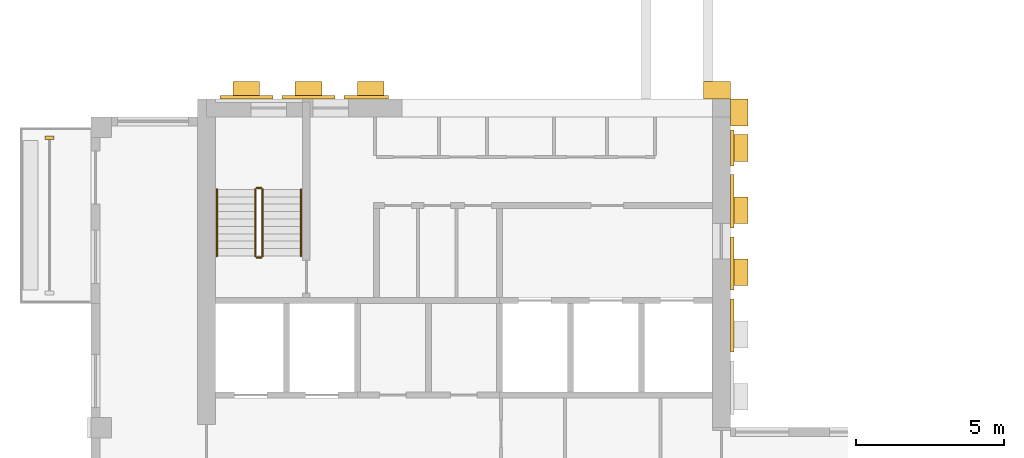
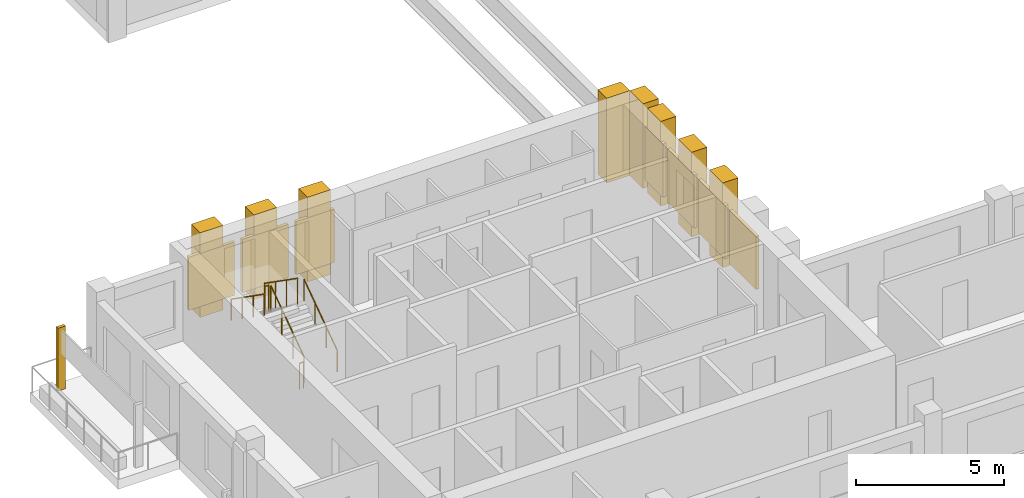
# One storey, part 7 of 9: 16 coverings, 6 railings.
"""IFC4 building model written with IfcOpenShell, lengths in metres."""

from ifc_helpers import new_model, si_unit, direction, frame, origin, origin_2d, place, context, subcontext, project, spatial, rectangle, circle, extrude, source, transform, mapped, material, type_object, element, save


model = new_model("IFC4")

# Units and contexts
model_context = context("Model", 3, precision=1e-05, world=origin(), true_north=direction((0.0, 1.0)))
body_context = subcontext(model_context, "Body", "Model", "MODEL_VIEW")
ifc_project = project(units=[si_unit("LENGTHUNIT", "METRE"), si_unit("AREAUNIT", "SQUARE_METRE"), si_unit("VOLUMEUNIT", "CUBIC_METRE"), si_unit("PLANEANGLEUNIT", "RADIAN"), si_unit("MASSUNIT", "GRAM", prefix="KILO")], contexts=[model_context])

# Site, building, storey
site_placement = place(None, origin())
site = spatial("IfcSite", under=ifc_project, at=site_placement, CompositionType="ELEMENT")
building_placement = place(site_placement, origin())
building = spatial("IfcBuilding", under=site, at=building_placement, Name="Aurelian Terraces", CompositionType="ELEMENT")
storey_placement = place(building_placement, frame((0.0, 0.0, 312.5)))
storey = spatial("IfcBuildingStorey", under=building, at=storey_placement, Name="L72", CompositionType="ELEMENT", Elevation=312.5)

# Coverings
ifc_material_1 = material(Name="Terracotta rainscreen cladding relief", Category="masonry")
covering_type_1 = type_object("IfcCoveringType", Name="FIN-TC", PredefinedType="CLADDING", material=ifc_material_1)
shared_shape_1 = source(origin(), body_context, "Body", "SweptSolid", [
    extrude(rectangle(XDim=0.3, YDim=0.12, at=origin_2d()), origin(), (0.0, 0.0, 1.0), 2.6),
])
covering_1_placement = place(storey_placement, frame((-1.4, 20.3, 0.0), z_axis=(0.0, 0.0, 1.0), x_axis=(1.0, 0.0, 0.0)))
element("IfcCovering", 1, at=covering_1_placement, inside=storey, type_object=covering_type_1, Name="FIN L72 L72-F12-18.1", PredefinedType="CLADDING", context=body_context, shape_type="MappedRepresentation", body=[
    mapped(shared_shape_1, transform((0.0, 0.0, 0.0), scale=1.0)),
])
ifc_material_2 = material(Name="Terracotta rainscreen cladding louvre blades", Category="masonry")
covering_type_2 = type_object("IfcCoveringType", Name="LOUVRE-TC", PredefinedType="CLADDING", material=ifc_material_2)
shared_shape_2 = source(origin(), body_context, "Body", "SweptSolid", [
    extrude(rectangle(XDim=0.12, YDim=1.8, at=origin_2d()), origin(), (0.0, 0.0, 1.0), 2.2),
])
for number, where, z_axis, x_axis, name in (
    (2, (21.66, 13.95, 0.45), (0.0, 0.0, 1.0), (1.0, 0.0, 0.0), "LOUVRE L72 core face E.2"),
    (3, (21.66, 16.05, 0.45), (0.0, 0.0, 1.0), (1.0, 0.0, 0.0), "LOUVRE L72 core face E.3"),
    (4, (21.66, 18.15, 0.45), (0.0, 0.0, 1.0), (1.0, 0.0, 0.0), "LOUVRE L72 core face E.4"),
):
    element("IfcCovering", number, at=place(storey_placement, frame(where, z_axis=z_axis, x_axis=x_axis)), inside=storey, type_object=covering_type_2, Name=name, PredefinedType="CLADDING", context=body_context, shape_type="MappedRepresentation", body=[
        mapped(shared_shape_2, transform((0.0, 0.0, 0.0), scale=1.0)),
    ])
shared_shape_3 = source(origin(), body_context, "Body", "SweptSolid", [
    extrude(rectangle(XDim=1.8, YDim=0.12, at=origin_2d()), origin(), (0.0, 0.0, 1.0), 2.2),
])
for number, where, z_axis, x_axis, name in (
    (5, (5.25, 21.66, 0.45), (0.0, 0.0, 1.0), (1.0, 0.0, 0.0), "LOUVRE L72 core face N.1"),
    (6, (7.35, 21.66, 0.45), (0.0, 0.0, 1.0), (1.0, 0.0, 0.0), "LOUVRE L72 core face N.2"),
):
    element("IfcCovering", number, at=place(storey_placement, frame(where, z_axis=z_axis, x_axis=x_axis)), inside=storey, type_object=covering_type_2, Name=name, PredefinedType="CLADDING", context=body_context, shape_type="MappedRepresentation", body=[
        mapped(shared_shape_3, transform((0.0, 0.0, 0.0), scale=1.0)),
    ])
shared_shape_4 = source(origin(), body_context, "Body", "SweptSolid", [
    extrude(rectangle(XDim=0.12, YDim=1.2, at=origin_2d()), origin(), (0.0, 0.0, 1.0), 2.2),
])
covering_2_placement = place(storey_placement, frame((21.66, 19.95, 0.45), z_axis=(0.0, 0.0, 1.0), x_axis=(1.0, 0.0, 0.0)))
element("IfcCovering", 7, at=covering_2_placement, inside=storey, type_object=covering_type_2, Name="LOUVRE L72 core face E.5", PredefinedType="CLADDING", context=body_context, shape_type="MappedRepresentation", body=[
    mapped(shared_shape_4, transform((0.0, 0.0, 0.0), scale=1.0)),
])
shared_shape_5 = source(origin(), body_context, "Body", "SweptSolid", [
    extrude(rectangle(XDim=1.5, YDim=0.12, at=origin_2d()), origin(), (0.0, 0.0, 1.0), 2.2),
])
covering_3_placement = place(storey_placement, frame((9.3, 21.66, 0.45), z_axis=(0.0, 0.0, 1.0), x_axis=(1.0, 0.0, 0.0)))
element("IfcCovering", 8, at=covering_3_placement, inside=storey, type_object=covering_type_2, Name="LOUVRE L72 core face N.3", PredefinedType="CLADDING", context=body_context, shape_type="MappedRepresentation", body=[
    mapped(shared_shape_5, transform((0.0, 0.0, 0.0), scale=1.0)),
])

# Railings
ifc_material_3 = material(Name="Stainless steel", Category="steel")
railing_type_1 = type_object("IfcRailingType", Name="Stair guard 1100", PredefinedType="GUARDRAIL", material=ifc_material_3)
shared_shape_6 = source(origin(), body_context, "Body", "SweptSolid", [
    extrude(circle(Radius=0.024, at=origin_2d()), frame((0.0, 0.0, 1.076), z_axis=(-1.0, 0.0, 0.0), x_axis=(0.0, -1.0, 0.0)), (0.0, 0.0, 1.0), 0.15),
    extrude(circle(Radius=0.021, at=origin_2d()), origin(), (0.0, 0.0, 1.0), 1.052),
    extrude(circle(Radius=0.021, at=origin_2d()), frame((-0.15, 0.0, 0.0)), (0.0, 0.0, 1.0), 1.052),
])
for number, where, name in (
    (9, (5.75, 18.6, 1.75), "L72 S1 stair guard 2"),
    (10, (5.75, 16.25, 0.0), "L72 S1 stair guard 4"),
):
    element("IfcRailing", number, at=place(storey_placement, frame(where)), inside=storey, type_object=railing_type_1, Name=name, PredefinedType="GUARDRAIL", context=body_context, shape_type="MappedRepresentation", body=[
        mapped(shared_shape_6, transform((0.0, 0.0, 0.0), scale=1.0)),
    ])
shared_shape_7 = source(origin(), body_context, "Body", "SweptSolid", [
    extrude(circle(Radius=0.024, at=origin_2d()), frame((0.0, 0.0, 1.076), z_axis=(0.0, 0.819231920519, 0.573462344363), x_axis=(-1.0, 0.0, 0.0)), (0.0, 0.0, 1.0), 2.7465),
    extrude(circle(Radius=0.021, at=origin_2d()), origin(), (0.0, 0.0, 1.0), 1.052),
    extrude(circle(Radius=0.021, at=origin_2d()), frame((0.0, 0.75, 0.525)), (0.0, 0.0, 1.0), 1.052),
    extrude(circle(Radius=0.021, at=origin_2d()), frame((0.0, 1.5, 1.05)), (0.0, 0.0, 1.0), 1.052),
    extrude(circle(Radius=0.021, at=origin_2d()), frame((0.0, 2.25, 1.575)), (0.0, 0.0, 1.0), 1.052),
])
railing_1_placement = place(storey_placement, frame((5.8, 16.3, 0.175)))
element("IfcRailing", 11, at=railing_1_placement, inside=storey, type_object=railing_type_1, Name="L72 S1 stair guard 1", PredefinedType="GUARDRAIL", context=body_context, shape_type="MappedRepresentation", body=[
    mapped(shared_shape_7, transform((0.0, 0.0, 0.0), scale=1.0)),
])
shared_shape_8 = source(origin(), body_context, "Body", "SweptSolid", [
    extrude(circle(Radius=0.024, at=origin_2d()), frame((0.0, 0.0, 1.076), z_axis=(0.0, -0.819231920519, 0.573462344363), x_axis=(1.0, 0.0, 0.0)), (0.0, 0.0, 1.0), 2.7465),
    extrude(circle(Radius=0.021, at=origin_2d()), origin(), (0.0, 0.0, 1.0), 1.052),
    extrude(circle(Radius=0.021, at=origin_2d()), frame((0.0, -0.75, 0.525)), (0.0, 0.0, 1.0), 1.052),
    extrude(circle(Radius=0.021, at=origin_2d()), frame((0.0, -1.5, 1.05)), (0.0, 0.0, 1.0), 1.052),
    extrude(circle(Radius=0.021, at=origin_2d()), frame((0.0, -2.25, 1.575)), (0.0, 0.0, 1.0), 1.052),
])
railing_2_placement = place(storey_placement, frame((5.55, 18.55, 1.925)))
element("IfcRailing", 12, at=railing_2_placement, inside=storey, type_object=railing_type_1, Name="L72 S1 stair guard 3", PredefinedType="GUARDRAIL", context=body_context, shape_type="MappedRepresentation", body=[
    mapped(shared_shape_8, transform((0.0, 0.0, 0.0), scale=1.0)),
])
railing_type_2 = type_object("IfcRailingType", Name="Stair handrail", PredefinedType="HANDRAIL", material=ifc_material_3)
shared_shape_9 = source(origin(), body_context, "Body", "SweptSolid", [
    extrude(circle(Radius=0.024, at=origin_2d()), frame((0.0, 0.0, 0.876), z_axis=(0.0, 0.819231920519, 0.573462344363), x_axis=(-1.0, 0.0, 0.0)), (0.0, 0.0, 1.0), 2.7465),
    extrude(circle(Radius=0.021, at=origin_2d()), origin(), (0.0, 0.0, 1.0), 0.852),
    extrude(circle(Radius=0.021, at=origin_2d()), frame((0.0, 0.75, 0.525)), (0.0, 0.0, 1.0), 0.852),
    extrude(circle(Radius=0.021, at=origin_2d()), frame((0.0, 1.5, 1.05)), (0.0, 0.0, 1.0), 0.852),
    extrude(circle(Radius=0.021, at=origin_2d()), frame((0.0, 2.25, 1.575)), (0.0, 0.0, 1.0), 0.852),
])
railing_3_placement = place(storey_placement, frame((7.1, 16.3, 0.175)))
element("IfcRailing", 13, at=railing_3_placement, inside=storey, type_object=railing_type_2, Name="L72 S1 stair handrail 1", PredefinedType="HANDRAIL", context=body_context, shape_type="MappedRepresentation", body=[
    mapped(shared_shape_9, transform((0.0, 0.0, 0.0), scale=1.0)),
])
shared_shape_10 = source(origin(), body_context, "Body", "SweptSolid", [
    extrude(circle(Radius=0.024, at=origin_2d()), frame((0.0, 0.0, 0.876), z_axis=(0.0, -0.819231920519, 0.573462344363), x_axis=(1.0, 0.0, 0.0)), (0.0, 0.0, 1.0), 2.7465),
    extrude(circle(Radius=0.021, at=origin_2d()), origin(), (0.0, 0.0, 1.0), 0.852),
    extrude(circle(Radius=0.021, at=origin_2d()), frame((0.0, -0.75, 0.525)), (0.0, 0.0, 1.0), 0.852),
    extrude(circle(Radius=0.021, at=origin_2d()), frame((0.0, -1.5, 1.05)), (0.0, 0.0, 1.0), 0.852),
    extrude(circle(Radius=0.021, at=origin_2d()), frame((0.0, -2.25, 1.575)), (0.0, 0.0, 1.0), 0.852),
])
railing_4_placement = place(storey_placement, frame((4.25, 18.55, 1.925)))
element("IfcRailing", 14, at=railing_4_placement, inside=storey, type_object=railing_type_2, Name="L72 S1 stair handrail 2", PredefinedType="HANDRAIL", context=body_context, shape_type="MappedRepresentation", body=[
    mapped(shared_shape_10, transform((0.0, 0.0, 0.0), scale=1.0)),
])

# Coverings
covering_type_3 = type_object("IfcCoveringType", Name="Core spine pier 900x600", PredefinedType="CLADDING", material=ifc_material_1)
shared_shape_11 = source(origin(), body_context, "Body", "SweptSolid", [
    extrude(rectangle(XDim=0.6, YDim=0.9, at=origin_2d()), origin(), (0.0, 0.0, 1.0), 3.5),
])
for number, where, z_axis, x_axis, name in (
    (15, (21.9, 15.75, 0.0), (0.0, 0.0, 1.0), (1.0, 0.0, 0.0), "Spine pier L72 E3"),
    (16, (21.9, 17.85, 0.0), (0.0, 0.0, 1.0), (1.0, 0.0, 0.0), "Spine pier L72 E4"),
    (17, (21.9, 19.95, 0.0), (0.0, 0.0, 1.0), (1.0, 0.0, 0.0), "Spine pier L72 E5"),
    (18, (21.9, 21.15, 0.0), (0.0, 0.0, 1.0), (1.0, 0.0, 0.0), "Spine pier L72 corner east"),
):
    element("IfcCovering", number, at=place(storey_placement, frame(where, z_axis=z_axis, x_axis=x_axis)), inside=storey, type_object=covering_type_3, Name=name, PredefinedType="CLADDING", context=body_context, shape_type="MappedRepresentation", body=[
        mapped(shared_shape_11, transform((0.0, 0.0, 0.0), scale=1.0)),
    ])
shared_shape_12 = source(origin(), body_context, "Body", "SweptSolid", [
    extrude(rectangle(XDim=0.9, YDim=0.6, at=origin_2d()), origin(), (0.0, 0.0, 1.0), 3.5),
])
for number, where, z_axis, x_axis, name in (
    (19, (5.25, 21.9, 0.0), (0.0, 0.0, 1.0), (1.0, 0.0, 0.0), "Spine pier L72 N6"),
    (20, (7.35, 21.9, 0.0), (0.0, 0.0, 1.0), (1.0, 0.0, 0.0), "Spine pier L72 N7"),
    (21, (9.45, 21.9, 0.0), (0.0, 0.0, 1.0), (1.0, 0.0, 0.0), "Spine pier L72 N8"),
    (22, (21.15, 21.9, 0.0), (0.0, 0.0, 1.0), (1.0, 0.0, 0.0), "Spine pier L72 corner north"),
):
    element("IfcCovering", number, at=place(storey_placement, frame(where, z_axis=z_axis, x_axis=x_axis)), inside=storey, type_object=covering_type_3, Name=name, PredefinedType="CLADDING", context=body_context, shape_type="MappedRepresentation", body=[
        mapped(shared_shape_12, transform((0.0, 0.0, 0.0), scale=1.0)),
    ])

save(model, "model.ifc")
